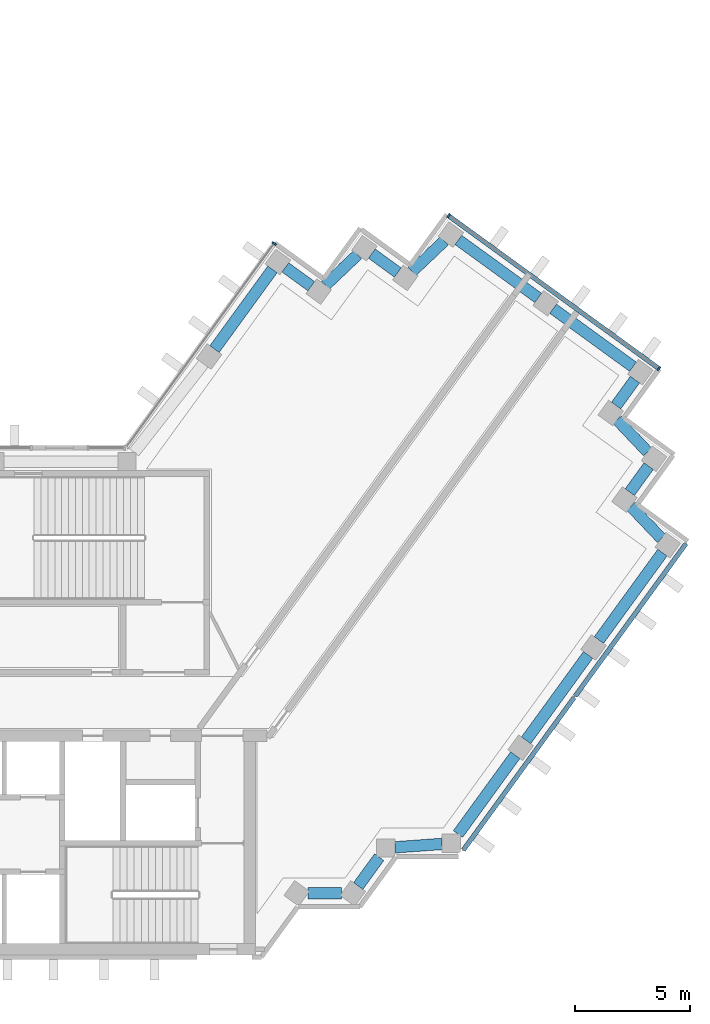
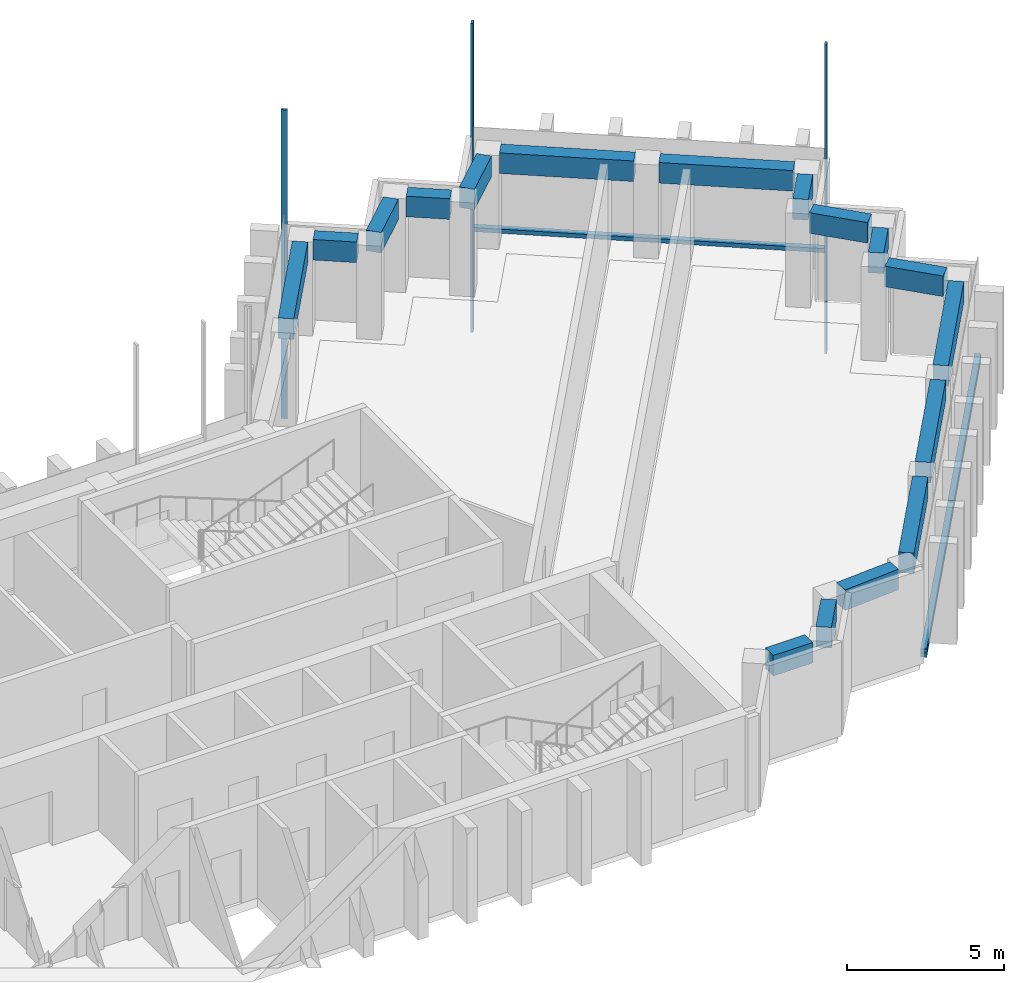
"""IFC4 building model written with IfcOpenShell, lengths in metres."""

from ifc_helpers import new_model, si_unit, direction, frame, origin, origin_2d, place, context, subcontext, project, spatial, rectangle, extrude, material, material_profile, profile_set, type_object, element, aggregate, save


model = new_model("IFC4")

# Units and contexts
model_context = context("Model", 3, precision=1e-05, world=origin(), true_north=direction((0.0, 1.0)))
body_context = subcontext(model_context, "Body", "Model", "MODEL_VIEW")
ifc_project = project(units=[si_unit("LENGTHUNIT", "METRE"), si_unit("AREAUNIT", "SQUARE_METRE"), si_unit("VOLUMEUNIT", "CUBIC_METRE"), si_unit("PLANEANGLEUNIT", "RADIAN"), si_unit("MASSUNIT", "GRAM", prefix="KILO")], contexts=[model_context])

# Site, building, storey
site_placement = place(None, origin())
site = spatial("IfcSite", under=ifc_project, at=site_placement, CompositionType="ELEMENT")
building_placement = place(site_placement, origin())
building = spatial("IfcBuilding", under=site, at=building_placement, Name="Quipu Civic Tower", CompositionType="ELEMENT")
storey_1_placement = place(building_placement, frame((0.0, 0.0, 222.0)))
storey_1 = spatial("IfcBuildingStorey", under=building, at=storey_1_placement, Name="L52", CompositionType="ELEMENT", Elevation=222.0)

# Curtain wall, members
ifc_material_1 = material(Name="Insulated glass unit", Category="glass")
curtain_wall_type = type_object("IfcCurtainWallType", Name="Office curtain wall CW1", PredefinedType="NOTDEFINED", material=ifc_material_1)
curtain_wall_1_placement = place(storey_1_placement, origin())
curtain_wall_1 = element("IfcCurtainWall", 1, at=curtain_wall_1_placement, inside=storey_1, type_object=curtain_wall_type, Name="Office curtain wall CW1 L51 run 21", PredefinedType="NOTDEFINED")
ifc_material_2 = material(Name="Anodised aluminium", Category="aluminium")
ifc_material_profile_1 = material_profile(ifc_material_2, rectangle(XDim=0.199951171875, YDim=0.080078125, at=origin_2d()), Name="RECT 200x80")
ifc_profile_set_1 = profile_set([ifc_material_profile_1], Name="Anodised aluminium")
member_type_1 = type_object("IfcMemberType", Name="Mullion CW1", PredefinedType="MULLION", material=ifc_profile_set_1)
member_1_placement = place(storey_1_placement, frame((37.569091796875, 14.552490234375, -3.919921875), z_axis=(0.0, 0.0, 1.0), x_axis=(-0.587787753918, -0.809015176832, 0.0)))
member_1 = element("IfcMember", 2, at=member_1_placement, type_object=member_type_1, Name="CW1 mullion 1", PredefinedType="MULLION", context=body_context, shape_type="SweptSolid", body=[
    extrude(rectangle(XDim=0.199951171875, YDim=0.080078125, at=origin_2d()), origin(), (0.0, 0.0, 1.0), 12.0),
])
member_2_placement = place(storey_1_placement, frame((28.4111328125, 21.206298828125, -3.919921875), z_axis=(0.0, 0.0, 1.0), x_axis=(-0.587787753918, -0.809015176832, 0.0)))
member_2 = element("IfcMember", 3, at=member_2_placement, type_object=member_type_1, Name="CW1 mullion 2", PredefinedType="MULLION", context=body_context, shape_type="SweptSolid", body=[
    extrude(rectangle(XDim=0.199951171875, YDim=0.080078125, at=origin_2d()), origin(), (0.0, 0.0, 1.0), 12.0),
])

# Curtain wall, member
curtain_wall_2_placement = place(storey_1_placement, origin())
curtain_wall_2 = element("IfcCurtainWall", 4, at=curtain_wall_2_placement, inside=storey_1, type_object=curtain_wall_type, Name="Office curtain wall CW1 L51 run 26", PredefinedType="NOTDEFINED")
member_3_placement = place(storey_1_placement, frame((20.8125, 20.002685546875, -3.919921875), z_axis=(0.0, 0.0, 1.0), x_axis=(0.809015163947, -0.587787771652, 0.0)))
member_3 = element("IfcMember", 5, at=member_3_placement, type_object=member_type_1, Name="CW1 mullion 1", PredefinedType="MULLION", context=body_context, shape_type="SweptSolid", body=[
    extrude(rectangle(XDim=0.199951171875, YDim=0.080078125, at=origin_2d()), origin(), (0.0, 0.0, 1.0), 12.0),
])
aggregate(curtain_wall_2, [member_3])

# Beams
ifc_material_3 = material(Name="Concrete C50/60", Category="concrete")
ifc_material_profile_2 = material_profile(ifc_material_3, rectangle(XDim=0.5, YDim=0.800048828125, at=origin_2d()), Name="RC500x800")
ifc_profile_set_2 = profile_set([ifc_material_profile_2], Name="Concrete C50/60")
beam_type = type_object("IfcBeamType", Name="Spandrel beam RC 500x800 C50/60", PredefinedType="SPANDREL", material=ifc_profile_set_2)
beam_1_placement = place(storey_1_placement, frame((22.2861328125, -8.31494140625, 3.25), z_axis=(1.0, 0.0, 0.0), x_axis=(0.0, 1.0, 0.0)))
element("IfcBeam", 6, at=beam_1_placement, inside=storey_1, type_object=beam_type, Name="Spandrel beam L52 J-Eo.1 to J-Eo.2", PredefinedType="SPANDREL", context=body_context, shape_type="SweptSolid", body=[
    extrude(rectangle(XDim=0.5, YDim=0.800048828125, at=origin_2d()), origin(), (0.0, 0.0, 1.0), 1.454345703125),
])
beam_2_placement = place(storey_1_placement, frame((24.470458984375, -7.991455078125, 3.25), z_axis=(0.588405601119, 0.808565920981, 0.0), x_axis=(-0.808565920981, 0.588405601119, 0.0)))
element("IfcBeam", 7, at=beam_2_placement, inside=storey_1, type_object=beam_type, Name="Spandrel beam L52 J-Eo.2 to J-Eo.3", PredefinedType="SPANDREL", context=body_context, shape_type="SweptSolid", body=[
    extrude(rectangle(XDim=0.5, YDim=0.800048828125, at=origin_2d()), origin(), (0.0, 0.0, 1.0), 1.55126953125),
])
beam_3_placement = place(storey_1_placement, frame((26.074462890625, -6.307861328125, 3.25), z_axis=(0.997372997143, 0.072436900614, 0.0), x_axis=(-0.072436900614, 0.997372997143, 0.0)))
element("IfcBeam", 8, at=beam_3_placement, inside=storey_1, type_object=beam_type, Name="Spandrel beam L52 J-Eo.3 to J-Eo.4", PredefinedType="SPANDREL", context=body_context, shape_type="SweptSolid", body=[
    extrude(rectangle(XDim=0.5, YDim=0.800048828125, at=origin_2d()), origin(), (0.0, 0.0, 1.0), 2.055908203125),
])
beam_4_placement = place(storey_1_placement, frame((28.815673828125, -5.72998046875, 3.25), z_axis=(0.58776850526, 0.809029161541, 0.0), x_axis=(-0.809029161541, 0.58776850526, 0.0)))
element("IfcBeam", 9, at=beam_4_placement, inside=storey_1, type_object=beam_type, Name="Spandrel beam L52 J-Eo.4 to E-OUT-01", PredefinedType="SPANDREL", context=body_context, shape_type="SweptSolid", body=[
    extrude(rectangle(XDim=0.5, YDim=0.800048828125, at=origin_2d()), origin(), (0.0, 0.0, 1.0), 4.249267578125),
])
beam_5_placement = place(storey_1_placement, frame((31.783447265625, -1.64501953125, 3.25), z_axis=(0.587796098864, 0.809009113768, 0.0), x_axis=(-0.809009113768, 0.587796098864, 0.0)))
element("IfcBeam", 10, at=beam_5_placement, inside=storey_1, type_object=beam_type, Name="Spandrel beam L52 E-OUT-01 to E-OUT-02", PredefinedType="SPANDREL", context=body_context, shape_type="SweptSolid", body=[
    extrude(rectangle(XDim=0.5, YDim=0.800048828125, at=origin_2d()), origin(), (0.0, 0.0, 1.0), 4.60009765625),
])
beam_6_placement = place(storey_1_placement, frame((34.95751953125, 2.7236328125, 3.25), z_axis=(0.587891029962, 0.808940131833, 0.0), x_axis=(-0.808940131833, 0.587891029962, 0.0)))
element("IfcBeam", 11, at=beam_6_placement, inside=storey_1, type_object=beam_type, Name="Spandrel beam L52 E-OUT-02 to T-Eo.0-E22", PredefinedType="SPANDREL", context=body_context, shape_type="SweptSolid", body=[
    extrude(rectangle(XDim=0.5, YDim=0.800048828125, at=origin_2d()), origin(), (0.0, 0.0, 1.0), 4.707275390625),
])
beam_7_placement = place(storey_1_placement, frame((37.6796875, 7.149658203125, 3.25), z_axis=(-0.689191109061, 0.724579612735, 0.0), x_axis=(-0.724579612735, -0.689191109061, 0.0)))
element("IfcBeam", 12, at=beam_7_placement, inside=storey_1, type_object=beam_type, Name="Spandrel beam L52 T-Eo.0-E22 to T-Eo.1-E22", PredefinedType="SPANDREL", context=body_context, shape_type="SweptSolid", body=[
    extrude(rectangle(XDim=0.5, YDim=0.800048828125, at=origin_2d()), origin(), (0.0, 0.0, 1.0), 1.931640625),
])
beam_8_placement = place(storey_1_placement, frame((36.302978515625, 9.16796875, 3.25), z_axis=(0.58725897397, 0.809399096547, 0.0), x_axis=(-0.809399096547, 0.58725897397, 0.0)))
element("IfcBeam", 13, at=beam_8_placement, inside=storey_1, type_object=beam_type, Name="Spandrel beam L52 T-Eo.1-E22 to T-Eo.2-E22", PredefinedType="SPANDREL", context=body_context, shape_type="SweptSolid", body=[
    extrude(rectangle(XDim=0.5, YDim=0.800048828125, at=origin_2d()), origin(), (0.0, 0.0, 1.0), 1.400146484375),
])
beam_9_placement = place(storey_1_placement, frame((37.080078125, 10.920166015625, 3.25), z_axis=(-0.688280901551, 0.725444278053, 0.0), x_axis=(-0.725444278053, -0.688280901551, 0.0)))
element("IfcBeam", 14, at=beam_9_placement, inside=storey_1, type_object=beam_type, Name="Spandrel beam L52 T-Eo.2-E22 to T-Eo.3-E22", PredefinedType="SPANDREL", context=body_context, shape_type="SweptSolid", body=[
    extrude(rectangle(XDim=0.5, YDim=0.800048828125, at=origin_2d()), origin(), (0.0, 0.0, 1.0), 1.931396484375),
])
beam_10_placement = place(storey_1_placement, frame((35.7060546875, 12.93994140625, 3.25), z_axis=(0.58841024035, 0.808562544922, 0.0), x_axis=(-0.808562544922, 0.58841024035, 0.0)))
element("IfcBeam", 15, at=beam_10_placement, inside=storey_1, type_object=beam_type, Name="Spandrel beam L52 T-Eo.3-E22 to T-Eo.4-E22", PredefinedType="SPANDREL", context=body_context, shape_type="SweptSolid", body=[
    extrude(rectangle(XDim=0.5, YDim=0.800048828125, at=origin_2d()), origin(), (0.0, 0.0, 1.0), 1.3994140625),
])
beam_11_placement = place(storey_1_placement, frame((36.44140625, 14.630126953125, 3.25), z_axis=(-0.809153076016, 0.587597906373, 0.0), x_axis=(-0.587597906373, -0.809153076016, 0.0)))
element("IfcBeam", 16, at=beam_11_placement, inside=storey_1, type_object=beam_type, Name="Spandrel beam L52 T-Eo.4-E22 to TIP-E-01-E22", PredefinedType="SPANDREL", context=body_context, shape_type="SweptSolid", body=[
    extrude(rectangle(XDim=0.5, YDim=0.800048828125, at=origin_2d()), origin(), (0.0, 0.0, 1.0), 4.302001953125),
])
beam_12_placement = place(storey_1_placement, frame((32.313232421875, 17.6279296875, 3.25), z_axis=(-0.80911644178, 0.587648350327, 0.0), x_axis=(-0.587648350327, -0.80911644178, 0.0)))
element("IfcBeam", 17, at=beam_12_placement, inside=storey_1, type_object=beam_type, Name="Spandrel beam L52 TIP-E-01-E22 to T-Ei.0-E22", PredefinedType="SPANDREL", context=body_context, shape_type="SweptSolid", body=[
    extrude(rectangle(XDim=0.5, YDim=0.800048828125, at=origin_2d()), origin(), (0.0, 0.0, 1.0), 4.30029296875),
])
beam_13_placement = place(storey_1_placement, frame((28.21484375, 20.10986328125, 3.25), z_axis=(-0.725384387405, -0.688344020464, 0.0), x_axis=(0.688344020464, -0.725384387405, 0.0)))
element("IfcBeam", 18, at=beam_13_placement, inside=storey_1, type_object=beam_type, Name="Spandrel beam L52 T-Ei.0-E22 to T-Ei.1-E22", PredefinedType="SPANDREL", context=body_context, shape_type="SweptSolid", body=[
    extrude(rectangle(XDim=0.5, YDim=0.800048828125, at=origin_2d()), origin(), (0.0, 0.0, 1.0), 1.93115234375),
])
beam_14_placement = place(storey_1_placement, frame((26.195556640625, 18.73583984375, 3.25), z_axis=(-0.808600329101, 0.588358315805, 0.0), x_axis=(-0.588358315805, -0.808600329101, 0.0)))
element("IfcBeam", 19, at=beam_14_placement, inside=storey_1, type_object=beam_type, Name="Spandrel beam L52 T-Ei.1-E22 to T-Ei.2-E22", PredefinedType="SPANDREL", context=body_context, shape_type="SweptSolid", body=[
    extrude(rectangle(XDim=0.5, YDim=0.800048828125, at=origin_2d()), origin(), (0.0, 0.0, 1.0), 1.400146484375),
])
beam_15_placement = place(storey_1_placement, frame((24.445068359375, 19.514892578125, 3.25), z_axis=(-0.72506883804, -0.688676397232, 0.0), x_axis=(0.688676397232, -0.72506883804, 0.0)))
element("IfcBeam", 20, at=beam_15_placement, inside=storey_1, type_object=beam_type, Name="Spandrel beam L52 T-Ei.2-E22 to T-Ei.3-E22", PredefinedType="SPANDREL", context=body_context, shape_type="SweptSolid", body=[
    extrude(rectangle(XDim=0.5, YDim=0.800048828125, at=origin_2d()), origin(), (0.0, 0.0, 1.0), 1.93212890625),
])
beam_16_placement = place(storey_1_placement, frame((22.425537109375, 18.13916015625, 3.25), z_axis=(-0.809452764948, 0.587184997524, 0.0), x_axis=(-0.587184997524, -0.809452764948, 0.0)))
element("IfcBeam", 21, at=beam_16_placement, inside=storey_1, type_object=beam_type, Name="Spandrel beam L52 T-Ei.3-E22 to T-Ei.4-E22", PredefinedType="SPANDREL", context=body_context, shape_type="SweptSolid", body=[
    extrude(rectangle(XDim=0.5, YDim=0.800048828125, at=origin_2d()), origin(), (0.0, 0.0, 1.0), 1.398193359375),
])
beam_17_placement = place(storey_1_placement, frame((20.734619140625, 18.87158203125, 3.25), z_axis=(-0.58812775221, -0.808768042816, 0.0), x_axis=(0.808768042816, -0.58812775221, 0.0)))
element("IfcBeam", 22, at=beam_17_placement, inside=storey_1, type_object=beam_type, Name="Spandrel beam L52 T-Ei.4-E22 to E-IN-01", PredefinedType="SPANDREL", context=body_context, shape_type="SweptSolid", body=[
    extrude(rectangle(XDim=0.5, YDim=0.800048828125, at=origin_2d()), origin(), (0.0, 0.0, 1.0), 4.29443359375),
])

# Storey
storey_2_placement = place(building_placement, frame((0.0, 0.0, 214.0)))
storey_2 = spatial("IfcBuildingStorey", under=building, at=storey_2_placement, Name="L50", CompositionType="ELEMENT", Elevation=214.0)

# Curtain wall, members
curtain_wall_3_placement = place(storey_2_placement, origin())
curtain_wall_3 = element("IfcCurtainWall", 23, at=curtain_wall_3_placement, inside=storey_2, type_object=curtain_wall_type, Name="Office curtain wall CW1 L49 run 4", PredefinedType="NOTDEFINED")
ifc_material_4 = material(Name="Anodised aluminium", Category="aluminium")
ifc_material_profile_3 = material_profile(ifc_material_4, rectangle(XDim=0.199951171875, YDim=0.159912109375, at=origin_2d()), Name="RECT 200x160")
ifc_profile_set_3 = profile_set([ifc_material_profile_3], Name="Anodised aluminium")
member_type_2 = type_object("IfcMemberType", Name="Transom CW1", PredefinedType="USERDEFINED", material=ifc_profile_set_3)
member_4_placement = place(storey_1_placement, frame((29.052978515625, -6.424072265625, 0.0), z_axis=(0.587780770372, 0.809020250662, 0.0), x_axis=(-0.809020250662, 0.587780770372, 0.0)))
member_4 = element("IfcMember", 24, at=member_4_placement, inside=storey_1, type_object=member_type_2, Name="CW1 transom 1.4", ObjectType="TRANSOM", PredefinedType="USERDEFINED", context=body_context, shape_type="SweptSolid", body=[
    extrude(rectangle(XDim=0.199951171875, YDim=0.159912109375, at=origin_2d()), origin(), (0.0, 0.0, 1.0), 8.2080078125),
])
member_5_placement = place(storey_1_placement, frame((33.924560546875, 0.281005859375, 0.0), z_axis=(0.587780770372, 0.809020250662, 0.0), x_axis=(-0.809020250662, 0.587780770372, 0.0)))
member_5 = element("IfcMember", 25, at=member_5_placement, inside=storey_1, type_object=member_type_2, Name="CW1 transom 2.4", ObjectType="TRANSOM", PredefinedType="USERDEFINED", context=body_context, shape_type="SweptSolid", body=[
    extrude(rectangle(XDim=0.199951171875, YDim=0.159912109375, at=origin_2d()), origin(), (0.0, 0.0, 1.0), 8.2080078125),
])
aggregate(curtain_wall_3, [member_4, member_5])

# Member
member_6_placement = place(storey_1_placement, frame((37.536865234375, 14.575927734375, 0.080078125), z_axis=(-0.809022463805, 0.587777724194, 0.0), x_axis=(-0.587777724194, -0.809022463805, 0.0)))
member_6 = element("IfcMember", 26, at=member_6_placement, type_object=member_type_2, Name="CW1 transom 1.2", ObjectType="TRANSOM", PredefinedType="USERDEFINED", context=body_context, shape_type="SweptSolid", body=[
    extrude(rectangle(XDim=0.199951171875, YDim=0.159912109375, at=origin_2d()), origin(), (0.0, 0.0, 1.0), 11.240234375),
])

aggregate(curtain_wall_1, [member_1, member_2, member_6])

# Storey
storey_3_placement = place(building_placement, frame((0.0, 0.0, 226.0)))
storey_3 = spatial("IfcBuildingStorey", under=building, at=storey_3_placement, Name="L53", CompositionType="ELEMENT", Elevation=226.0)

# Curtain wall, members
curtain_wall_4_placement = place(storey_3_placement, origin())
curtain_wall_4 = element("IfcCurtainWall", 27, at=curtain_wall_4_placement, inside=storey_3, type_object=curtain_wall_type, Name="Office curtain wall CW1 L52 run 4", PredefinedType="NOTDEFINED")
member_7_placement = place(storey_1_placement, frame((29.052978515625, -6.424072265625, 0.159912109375), z_axis=(0.587780770372, 0.809020250662, 0.0), x_axis=(-0.809020250662, 0.587780770372, 0.0)))
member_7 = element("IfcMember", 28, at=member_7_placement, inside=storey_1, type_object=member_type_2, Name="CW1 transom 1.1", ObjectType="TRANSOM", PredefinedType="USERDEFINED", context=body_context, shape_type="SweptSolid", body=[
    extrude(rectangle(XDim=0.199951171875, YDim=0.159912109375, at=origin_2d()), origin(), (0.0, 0.0, 1.0), 8.2080078125),
])
member_8_placement = place(storey_1_placement, frame((33.924560546875, 0.281005859375, 0.159912109375), z_axis=(0.587780770372, 0.809020250662, 0.0), x_axis=(-0.809020250662, 0.587780770372, 0.0)))
member_8 = element("IfcMember", 29, at=member_8_placement, inside=storey_1, type_object=member_type_2, Name="CW1 transom 2.1", ObjectType="TRANSOM", PredefinedType="USERDEFINED", context=body_context, shape_type="SweptSolid", body=[
    extrude(rectangle(XDim=0.199951171875, YDim=0.159912109375, at=origin_2d()), origin(), (0.0, 0.0, 1.0), 8.2080078125),
])
aggregate(curtain_wall_4, [member_7, member_8])

save(model, "model.ifc")
